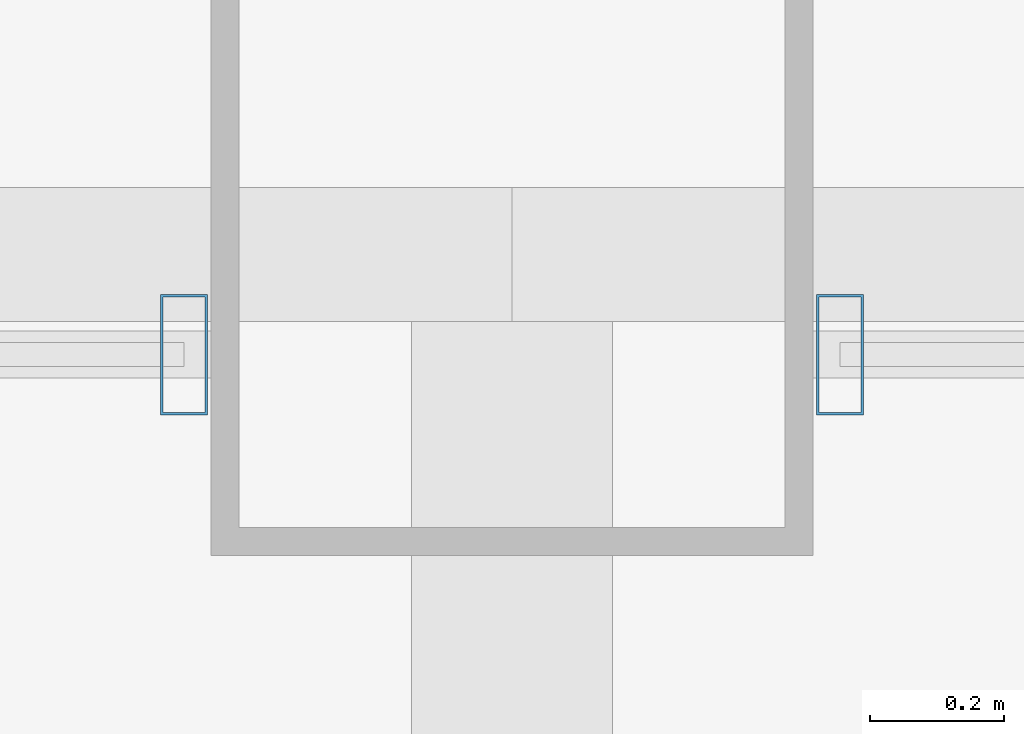
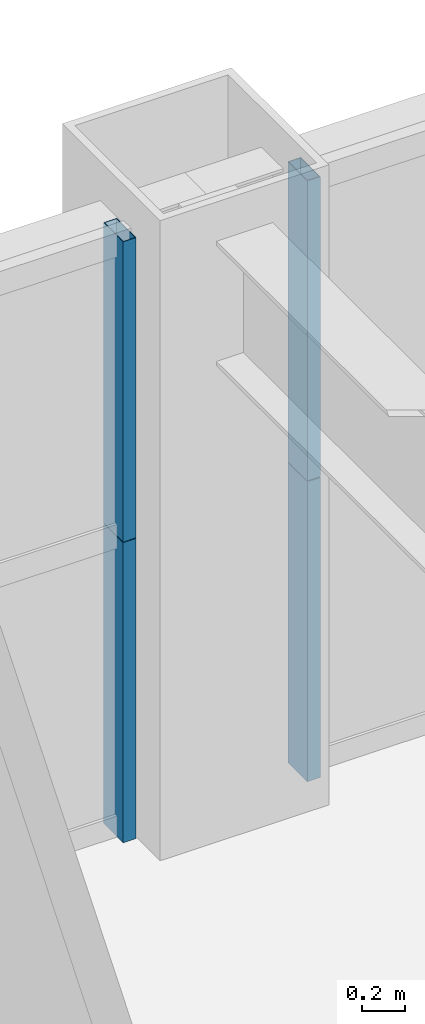
# One storey, part 26 of 38: 4 members, 2 elements without a shape of their own.
"""IFC4 building model written with IfcOpenShell, lengths in metres."""

from ifc_helpers import new_model, si_unit, direction, frame, origin, origin_2d, place, context, subcontext, project, spatial, hollow_rectangle, extrude, source, transform, mapped, material, layer, layer_set, material_profile, profile_set, type_object, element, aggregate, save


model = new_model("IFC4")

# Units and contexts
model_context = context("Model", 3, precision=1e-05, world=origin(), true_north=direction((0.0, 1.0)))
body_context = subcontext(model_context, "Body", "Model", "MODEL_VIEW")
ifc_project = project(units=[si_unit("LENGTHUNIT", "METRE"), si_unit("AREAUNIT", "SQUARE_METRE"), si_unit("VOLUMEUNIT", "CUBIC_METRE"), si_unit("PLANEANGLEUNIT", "RADIAN"), si_unit("MASSUNIT", "GRAM", prefix="KILO"), si_unit("THERMODYNAMICTEMPERATUREUNIT", "KELVIN"), si_unit("POWERUNIT", "WATT")], contexts=[model_context])

# Site, building, storey
site_placement = place(None, origin())
site = spatial("IfcSite", under=ifc_project, at=site_placement, CompositionType="ELEMENT")
building_placement = place(site_placement, origin())
building = spatial("IfcBuilding", under=site, at=building_placement, Name="Yuzanri Waterfront Tower", CompositionType="ELEMENT")
storey_placement = place(building_placement, frame((0.0, 0.0, 119.0)))
storey = spatial("IfcBuildingStorey", under=building, at=storey_placement, Name="L31", CompositionType="ELEMENT", Elevation=119.0)

# Curtain wall, members
ifc_material_1 = material(Name="Anodized Architectural Bronze", Category="metal")
ifc_layer = layer(ifc_material_1, 0.159912109375)
ifc_layer_set = layer_set([ifc_layer], Name="Anodized Architectural Bronze")
curtain_wall_type = type_object("IfcCurtainWallType", Name="Anodized Bronze Hotel Upper-Tier Solar-Control Unitized Curtain Wall 7800", PredefinedType="NOTDEFINED", material=ifc_layer_set)
curtain_wall_1_placement = place(storey_placement, origin())
curtain_wall_1 = element("IfcCurtainWall", 1, at=curtain_wall_1_placement, inside=storey, type_object=curtain_wall_type, Name="L31 Curtain Wall CW-L31-NL", PredefinedType="NOTDEFINED")
ifc_material_2 = material(Name="Anodized Architectural Bronze", Category="metal")
ifc_material_profile = material_profile(ifc_material_2, hollow_rectangle(XDim=0.070068359375, YDim=0.179931640625, WallThickness=0.00390625, at=origin_2d()), Name="CWM 70x180")
ifc_profile_set = profile_set([ifc_material_profile], Name="Anodized Architectural Bronze")
member_type = type_object("IfcMemberType", Name="Anodized Bronze Standard Curtain-Wall Mullion 70x180", PredefinedType="MULLION", material=ifc_profile_set)
shared_shape = source(origin(), body_context, "Body", "SweptSolid", [
    extrude(hollow_rectangle(XDim=0.070068359375, YDim=0.179931640625, WallThickness=0.00390625, at=origin_2d()), origin(), (0.0, 0.0, 1.0), 1.68798828125),
])
member_1_placement = place(storey_placement, frame((36.510009765625, 49.25, 0.0), z_axis=(0.0, 0.0, 1.0), x_axis=(1.0, 0.0, 0.0)))
member_1 = element("IfcMember", 2, at=member_1_placement, type_object=member_type, Name="CW-L31-NL Lower Mullion 02", PredefinedType="MULLION", context=body_context, shape_type="MappedRepresentation", body=[
    mapped(shared_shape, transform((0.0, 0.0, 0.0), scale=1.0)),
])
member_2_placement = place(storey_placement, frame((36.510009765625, 49.25, 1.69189453125), z_axis=(0.0, 0.0, 1.0), x_axis=(1.0, 0.0, 0.0)))
member_2 = element("IfcMember", 3, at=member_2_placement, type_object=member_type, Name="CW-L31-NL Upper Mullion 02", PredefinedType="MULLION", context=body_context, shape_type="MappedRepresentation", body=[
    mapped(shared_shape, transform((0.0, 0.0, 0.0), scale=1.0)),
])
aggregate(curtain_wall_1, [member_1, member_2])

curtain_wall_2_placement = place(storey_placement, origin())
curtain_wall_2 = element("IfcCurtainWall", 4, at=curtain_wall_2_placement, inside=storey, type_object=curtain_wall_type, Name="L31 Curtain Wall CW-L31-NR", PredefinedType="NOTDEFINED")
member_3_placement = place(storey_placement, frame((37.489990234375, 49.25, 0.0), z_axis=(0.0, 0.0, 1.0), x_axis=(1.0, 0.0, 0.0)))
member_3 = element("IfcMember", 5, at=member_3_placement, type_object=member_type, Name="CW-L31-NR Lower Mullion 00", PredefinedType="MULLION", context=body_context, shape_type="MappedRepresentation", body=[
    mapped(shared_shape, transform((0.0, 0.0, 0.0), scale=1.0)),
])
member_4_placement = place(storey_placement, frame((37.489990234375, 49.25, 1.69189453125), z_axis=(0.0, 0.0, 1.0), x_axis=(1.0, 0.0, 0.0)))
member_4 = element("IfcMember", 6, at=member_4_placement, type_object=member_type, Name="CW-L31-NR Upper Mullion 00", PredefinedType="MULLION", context=body_context, shape_type="MappedRepresentation", body=[
    mapped(shared_shape, transform((0.0, 0.0, 0.0), scale=1.0)),
])
aggregate(curtain_wall_2, [member_3, member_4])

save(model, "model.ifc")
